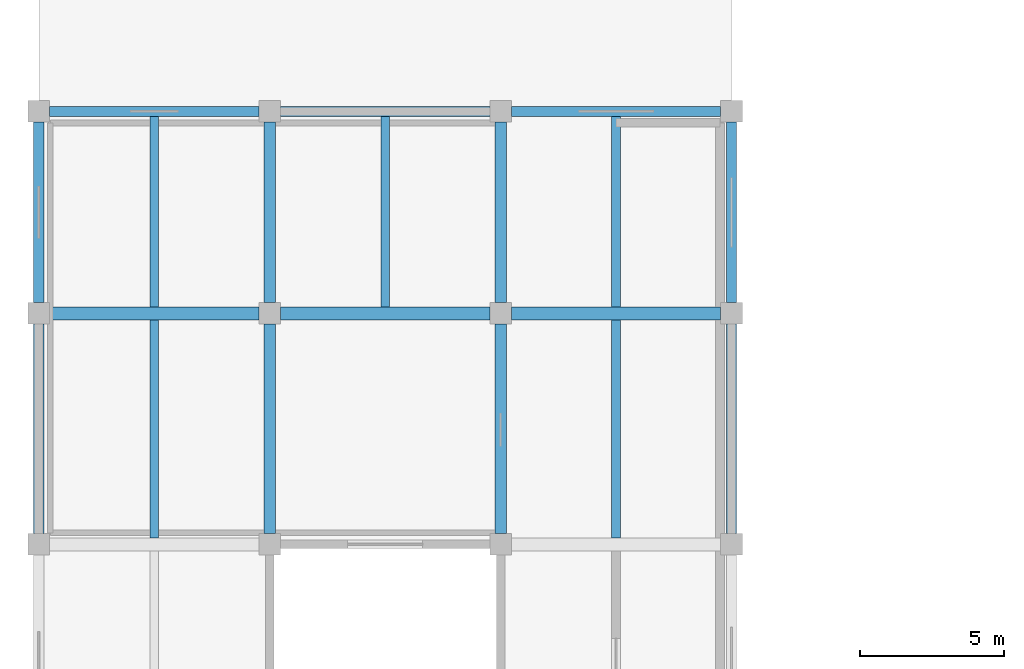
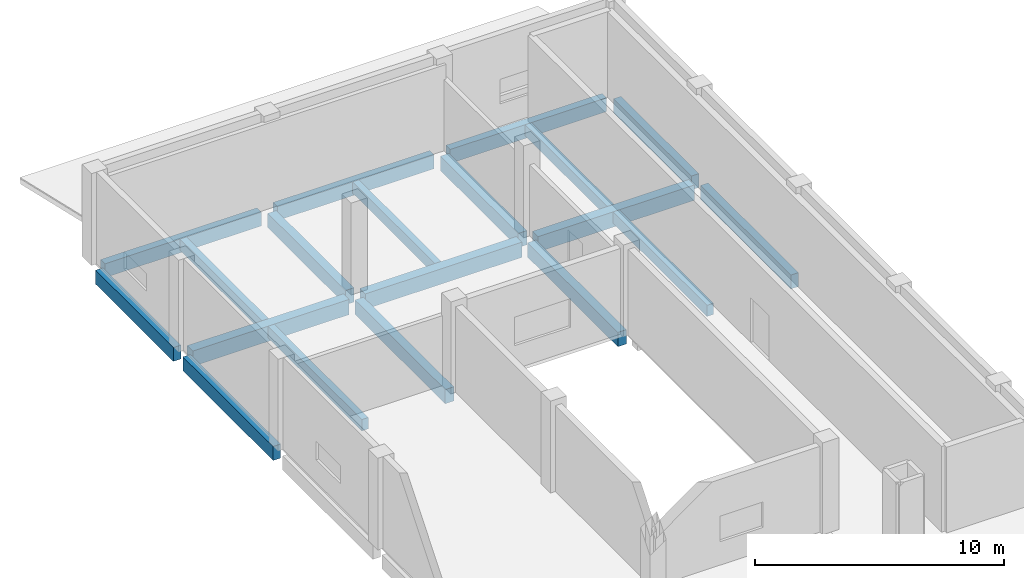
# One storey, part 19 of 53: 19 beams.
"""IFC4 building model written with IfcOpenShell, lengths in metres."""

from ifc_helpers import new_model, si_unit, direction, frame, origin, origin_2d, place, context, subcontext, project, spatial, rectangle, extrude, material, material_profile, profile_set, type_object, element, save


model = new_model("IFC4")

# Units and contexts
model_context = context("Model", 3, precision=1e-05, world=origin(), true_north=direction((0.0, 1.0)))
body_context = subcontext(model_context, "Body", "Model", "MODEL_VIEW")
ifc_project = project(units=[si_unit("LENGTHUNIT", "METRE"), si_unit("AREAUNIT", "SQUARE_METRE"), si_unit("VOLUMEUNIT", "CUBIC_METRE"), si_unit("PLANEANGLEUNIT", "RADIAN"), si_unit("MASSUNIT", "GRAM", prefix="KILO")], contexts=[model_context])

# Site, building, storey
site_placement = place(None, origin())
site = spatial("IfcSite", under=ifc_project, at=site_placement, CompositionType="ELEMENT")
building_placement = place(site_placement, origin())
building = spatial("IfcBuilding", under=site, at=building_placement, Name="Qorikala Patio Media Centre", CompositionType="ELEMENT")
storey_placement = place(building_placement, frame((0.0, 0.0, 5.39990234375)))
storey = spatial("IfcBuildingStorey", under=building, at=storey_placement, Name="L01", CompositionType="ELEMENT", Elevation=5.39990234375)

# Beams
ifc_material = material(Name="Concrete C35/45", Category="concrete")
ifc_material_profile_1 = material_profile(ifc_material, rectangle(XDim=0.39990234375, YDim=0.699951171875, at=origin_2d()), Name="RC 400x700")
ifc_profile_set_1 = profile_set([ifc_material_profile_1], Name="Concrete C35/45")
beam_type_1 = type_object("IfcBeamType", Name="BM-G400X700", PredefinedType="BEAM", material=ifc_profile_set_1)
beam_1_placement = place(storey_placement, frame((11.0, 96.375, -0.64990234375), z_axis=(0.0, 1.0, 0.0), x_axis=(-1.0, 0.0, 0.0)))
element("IfcBeam", 1, at=beam_1_placement, inside=storey, type_object=beam_type_1, Name="L01 Grid X=11 Beam 0557", PredefinedType="BEAM", context=body_context, shape_type="SweptSolid", body=[
    extrude(rectangle(XDim=0.39990234375, YDim=0.699951171875, at=origin_2d()), origin(), (0.0, 0.0, 1.0), 7.25),
])
beam_2_placement = place(storey_placement, frame((11.0, 104.375, -0.64990234375), z_axis=(0.0, 1.0, 0.0), x_axis=(-1.0, 0.0, 0.0)))
element("IfcBeam", 2, at=beam_2_placement, inside=storey, type_object=beam_type_1, Name="L01 Grid X=11 Beam 0558", PredefinedType="BEAM", context=body_context, shape_type="SweptSolid", body=[
    extrude(rectangle(XDim=0.39990234375, YDim=0.699951171875, at=origin_2d()), origin(), (0.0, 0.0, 1.0), 6.25),
])
beam_3_placement = place(storey_placement, frame((19.0, 96.375, -0.64990234375), z_axis=(0.0, 1.0, 0.0), x_axis=(-1.0, 0.0, 0.0)))
element("IfcBeam", 3, at=beam_3_placement, inside=storey, type_object=beam_type_1, Name="L01 Grid X=19 Beam 0567", PredefinedType="BEAM", context=body_context, shape_type="SweptSolid", body=[
    extrude(rectangle(XDim=0.39990234375, YDim=0.699951171875, at=origin_2d()), origin(), (0.0, 0.0, 1.0), 7.25),
])
beam_4_placement = place(storey_placement, frame((19.0, 104.375, -0.64990234375), z_axis=(0.0, 1.0, 0.0), x_axis=(-1.0, 0.0, 0.0)))
element("IfcBeam", 4, at=beam_4_placement, inside=storey, type_object=beam_type_1, Name="L01 Grid X=19 Beam 0568", PredefinedType="BEAM", context=body_context, shape_type="SweptSolid", body=[
    extrude(rectangle(XDim=0.39990234375, YDim=0.699951171875, at=origin_2d()), origin(), (0.0, 0.0, 1.0), 6.25),
])
ifc_material_profile_2 = material_profile(ifc_material, rectangle(XDim=0.449951171875, YDim=0.75, at=origin_2d()), Name="RC 450x750")
ifc_profile_set_2 = profile_set([ifc_material_profile_2], Name="Concrete C35/45")
beam_type_2 = type_object("IfcBeamType", Name="BM-G450X750", PredefinedType="BEAM", material=ifc_profile_set_2)
for number, where, z_axis, x_axis, name in (
    (5, (3.375, 104.0, -0.6748046875), (1.0, 0.0, 0.0), (0.0, 1.0, 0.0), "L01 Grid 104 Beam 0526"),
    (6, (11.375, 104.0, -0.6748046875), (1.0, 0.0, 0.0), (0.0, 1.0, 0.0), "L01 Grid 104 Beam 0527"),
    (7, (19.375, 104.0, -0.6748046875), (1.0, 0.0, 0.0), (0.0, 1.0, 0.0), "L01 Grid 104 Beam 0528"),
):
    element("IfcBeam", number, at=place(storey_placement, frame(where, z_axis=z_axis, x_axis=x_axis)), inside=storey, type_object=beam_type_2, Name=name, PredefinedType="BEAM", context=body_context, shape_type="SweptSolid", body=[
        extrude(rectangle(XDim=0.449951171875, YDim=0.75, at=origin_2d()), origin(), (0.0, 0.0, 1.0), 7.25),
    ])
ifc_material_profile_3 = material_profile(ifc_material, rectangle(XDim=0.300048828125, YDim=0.550048828125, at=origin_2d()), Name="RC 300x550")
ifc_profile_set_3 = profile_set([ifc_material_profile_3], Name="Concrete C35/45")
beam_type_3 = type_object("IfcBeamType", Name="JS-300X550", PredefinedType="JOIST", material=ifc_profile_set_3)
beam_5_placement = place(storey_placement, frame((7.0, 96.22509765625, -0.574951171875), z_axis=(0.0, 1.0, 0.0), x_axis=(-1.0, 0.0, 0.0)))
element("IfcBeam", 8, at=beam_5_placement, inside=storey, type_object=beam_type_3, Name="L01 Secondary Joist 0673", PredefinedType="JOIST", context=body_context, shape_type="SweptSolid", body=[
    extrude(rectangle(XDim=0.300048828125, YDim=0.550048828125, at=origin_2d()), origin(), (0.0, 0.0, 1.0), 7.5498046875),
])
for number, where, z_axis, x_axis, name in (
    (9, (7.0, 104.22509765625, -0.574951171875), (0.0, 1.0, 0.0), (-1.0, 0.0, 0.0), "L01 Secondary Joist 0674"),
    (10, (15.0, 104.22509765625, -0.574951171875), (0.0, 1.0, 0.0), (-1.0, 0.0, 0.0), "L01 Secondary Joist 0681"),
):
    element("IfcBeam", number, at=place(storey_placement, frame(where, z_axis=z_axis, x_axis=x_axis)), inside=storey, type_object=beam_type_3, Name=name, PredefinedType="JOIST", context=body_context, shape_type="SweptSolid", body=[
        extrude(rectangle(XDim=0.300048828125, YDim=0.550048828125, at=origin_2d()), origin(), (0.0, 0.0, 1.0), 6.599853515625),
    ])
beam_6_placement = place(storey_placement, frame((23.0, 96.22509765625, -0.574951171875), z_axis=(0.0, 1.0, 0.0), x_axis=(-1.0, 0.0, 0.0)))
element("IfcBeam", 11, at=beam_6_placement, inside=storey, type_object=beam_type_3, Name="L01 Secondary Joist 0691", PredefinedType="JOIST", context=body_context, shape_type="SweptSolid", body=[
    extrude(rectangle(XDim=0.300048828125, YDim=0.550048828125, at=origin_2d()), origin(), (0.0, 0.0, 1.0), 7.5498046875),
])
beam_7_placement = place(storey_placement, frame((23.0, 104.22509765625, -0.574951171875), z_axis=(0.0, 1.0, 0.0), x_axis=(-1.0, 0.0, 0.0)))
element("IfcBeam", 12, at=beam_7_placement, inside=storey, type_object=beam_type_3, Name="L01 Secondary Joist 0692", PredefinedType="JOIST", context=body_context, shape_type="SweptSolid", body=[
    extrude(rectangle(XDim=0.300048828125, YDim=0.550048828125, at=origin_2d()), origin(), (0.0, 0.0, 1.0), 6.599853515625),
])
ifc_material_profile_4 = material_profile(ifc_material, rectangle(XDim=0.35009765625, YDim=0.679931640625, at=origin_2d()), Name="RC 350x680")
ifc_profile_set_4 = profile_set([ifc_material_profile_4], Name="Concrete C35/45")
beam_type_4 = type_object("IfcBeamType", Name="SP-350X680", PredefinedType="SPANDREL", material=ifc_profile_set_4)
for number, where, z_axis, x_axis, name in (
    (13, (3.375, 111.0, -0.639892578125), (1.0, 0.0, 0.0), (0.0, 1.0, 0.0), "L01 Grid 111 Beam 0532"),
    (14, (11.375, 111.0, -0.639892578125), (1.0, 0.0, 0.0), (0.0, 1.0, 0.0), "L01 Grid 111 Beam 0533"),
    (15, (19.375, 111.0, -0.639892578125), (1.0, 0.0, 0.0), (0.0, 1.0, 0.0), "L01 Grid 111 Beam 0534"),
    (16, (3.0, 96.375, -0.639892578125), (0.0, 1.0, 0.0), (-1.0, 0.0, 0.0), "L01 Grid X=3 Beam 0547"),
):
    element("IfcBeam", number, at=place(storey_placement, frame(where, z_axis=z_axis, x_axis=x_axis)), inside=storey, type_object=beam_type_4, Name=name, PredefinedType="SPANDREL", context=body_context, shape_type="SweptSolid", body=[
        extrude(rectangle(XDim=0.35009765625, YDim=0.679931640625, at=origin_2d()), origin(), (0.0, 0.0, 1.0), 7.25),
    ])
beam_8_placement = place(storey_placement, frame((3.0, 104.375, -0.639892578125), z_axis=(0.0, 1.0, 0.0), x_axis=(-1.0, 0.0, 0.0)))
element("IfcBeam", 17, at=beam_8_placement, inside=storey, type_object=beam_type_4, Name="L01 Grid X=3 Beam 0548", PredefinedType="SPANDREL", context=body_context, shape_type="SweptSolid", body=[
    extrude(rectangle(XDim=0.35009765625, YDim=0.679931640625, at=origin_2d()), origin(), (0.0, 0.0, 1.0), 6.25),
])
beam_9_placement = place(storey_placement, frame((27.0, 96.375, -0.639892578125), z_axis=(0.0, 1.0, 0.0), x_axis=(-1.0, 0.0, 0.0)))
element("IfcBeam", 18, at=beam_9_placement, inside=storey, type_object=beam_type_4, Name="L01 Grid X=27 Beam 0581", PredefinedType="SPANDREL", context=body_context, shape_type="SweptSolid", body=[
    extrude(rectangle(XDim=0.35009765625, YDim=0.679931640625, at=origin_2d()), origin(), (0.0, 0.0, 1.0), 7.25),
])
beam_10_placement = place(storey_placement, frame((27.0, 104.375, -0.639892578125), z_axis=(0.0, 1.0, 0.0), x_axis=(-1.0, 0.0, 0.0)))
element("IfcBeam", 19, at=beam_10_placement, inside=storey, type_object=beam_type_4, Name="L01 Grid X=27 Beam 0582", PredefinedType="SPANDREL", context=body_context, shape_type="SweptSolid", body=[
    extrude(rectangle(XDim=0.35009765625, YDim=0.679931640625, at=origin_2d()), origin(), (0.0, 0.0, 1.0), 6.25),
])

save(model, "model.ifc")
